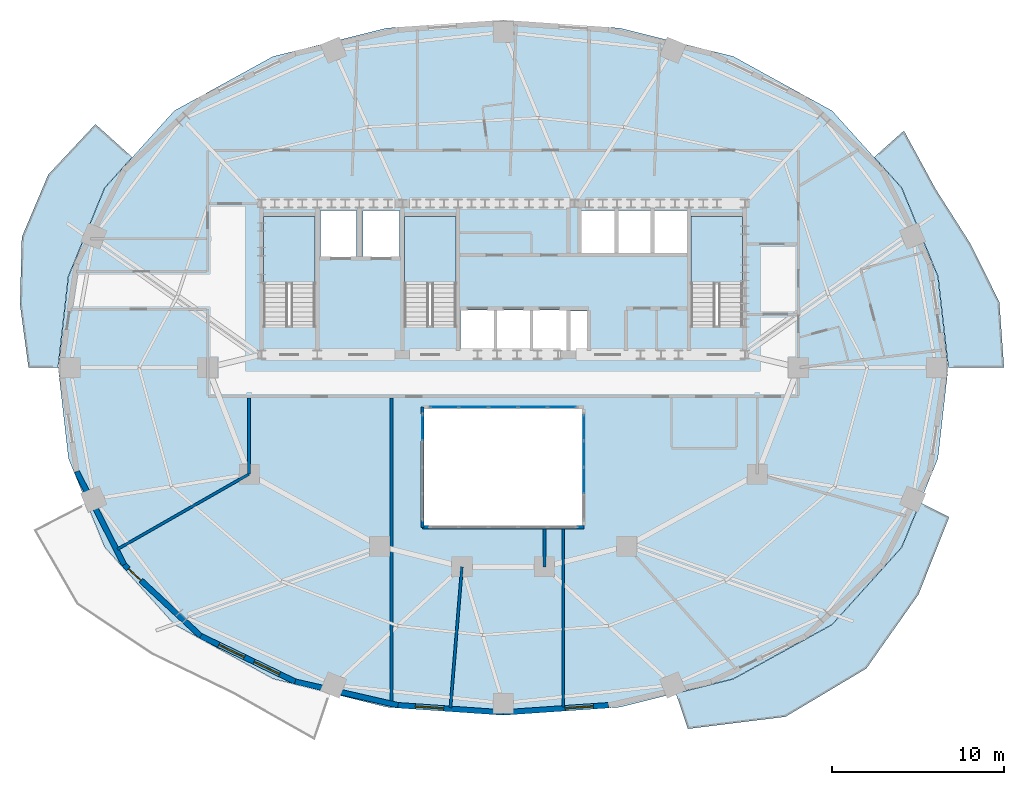
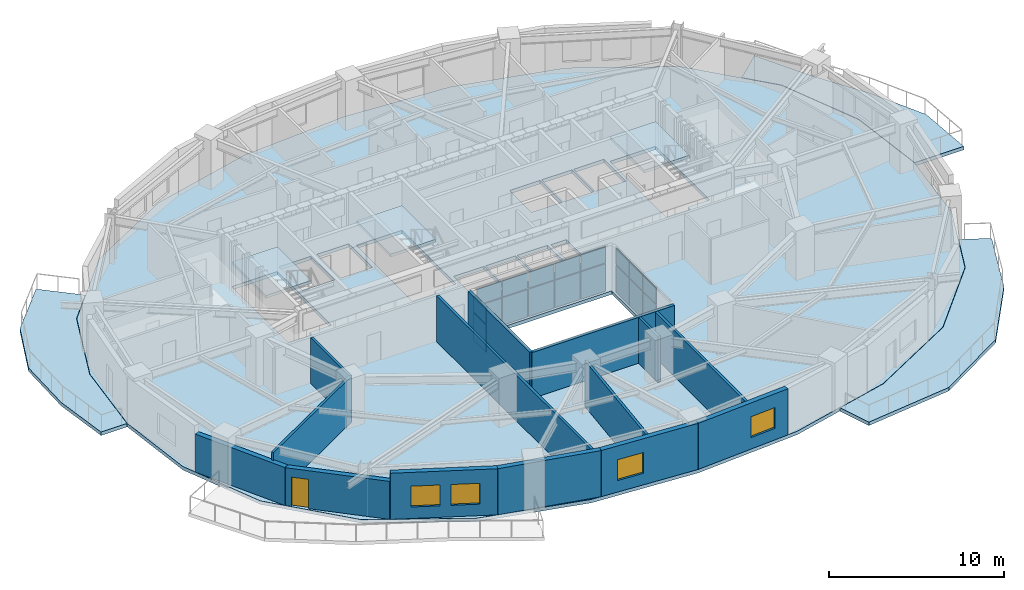
# One storey, part 5 of 13: 18 plates, 14 walls, 7 slabs, 4 windows, 1 door, 5 openings, 6 elements without a shape of their own.
"""IFC4 building model written with IfcOpenShell, lengths in metres."""

import ifcopenshell
import ifcopenshell.guid

model = None  # the IFC model being written
_history = None  # IfcOwnerHistory: only IFC2X3 demands one
_inside = {}  # id of a spatial element -> (the spatial element, [elements in it])
_under = {}  # id of a project, library or spatial element -> (it, [spatial elements below it])
_declared = {}  # id of a project -> (the project, [libraries it declares])
_typed = {}  # id of a type object -> (the type object, [elements of that type])
_made_of = {}  # id of a material, layer set ... -> (it, [elements and type objects made of it])


def new_model(schema):
    """Start an empty IFC model of exactly this schema.

    Asked for "IFC4X3", IfcOpenShell would pick the latest addendum, in which some entities
    have other attributes; the version numbers below select the first issue.
    IFC2X3 requires an IfcOwnerHistory on every rooted entity: one is made here for all.
    """
    global model, _history
    if schema == "IFC4X3":
        model = ifcopenshell.file(schema_version=(4, 3, 0, 0))
    else:
        model = ifcopenshell.file(schema=schema)
    _inside.clear()
    _under.clear()
    _declared.clear()
    _typed.clear()
    _made_of.clear()
    _history = None
    if model.schema == "IFC2X3":
        org = make("IfcOrganization", Name="unknown")
        user = make(
            "IfcPersonAndOrganization",
            ThePerson=make("IfcPerson", FamilyName="unknown"),
            TheOrganization=org,
        )
        app = make(
            "IfcApplication",
            ApplicationDeveloper=org,
            Version="unknown",
            ApplicationFullName="unknown",
            ApplicationIdentifier="unknown",
        )
        _history = make(
            "IfcOwnerHistory",
            OwningUser=user,
            OwningApplication=app,
            ChangeAction="ADDED",
            CreationDate=0,
        )
    return model


def make(cls, **values):
    """One entity of the class cls with the attributes given. An attribute that is None is left unset."""
    return model.create_entity(
        cls, **{name: value for name, value in values.items() if value is not None}
    )


def rooted(cls, **values):
    """An entity with a GlobalId (a new one), such as an element, a storey or a relation."""
    return make(cls, GlobalId=ifcopenshell.guid.new(), OwnerHistory=_history, **values)


def si_unit(unit_type, name, prefix=None):
    """IfcSIUnit, for example si_unit("LENGTHUNIT", "METRE", prefix="MILLI")."""
    return make("IfcSIUnit", UnitType=unit_type, Prefix=prefix, Name=name)


def assignment(units):
    """IfcUnitAssignment: the units of a project."""
    return None if units is None else make("IfcUnitAssignment", Units=units)


def point(xyz):
    """IfcCartesianPoint."""
    return None if xyz is None else make("IfcCartesianPoint", Coordinates=xyz)


def direction(xyz):
    """IfcDirection."""
    return None if xyz is None else make("IfcDirection", DirectionRatios=xyz)


def frame(location, z_axis=None, x_axis=None):
    """IfcAxis2Placement3D, a coordinate frame: its origin and axes. An axis left out is left unset."""
    return make(
        "IfcAxis2Placement3D",
        Location=point(location),
        Axis=direction(z_axis),
        RefDirection=direction(x_axis),
    )


def frame_2d(location, x_axis=None):
    """IfcAxis2Placement2D, a coordinate frame in the plane: its origin and x axis."""
    return make(
        "IfcAxis2Placement2D", Location=point(location), RefDirection=direction(x_axis)
    )


def origin():
    """The frame at (0, 0, 0) with its axes left unset."""
    return frame((0.0, 0.0, 0.0))


def origin_2d():
    """The frame at (0, 0) in the plane with its x axis left unset."""
    return frame_2d((0.0, 0.0))


def place(relative_to, where):
    """IfcLocalPlacement: puts the frame where relative to a parent placement (None: the world)."""
    return make(
        "IfcLocalPlacement", PlacementRelTo=relative_to, RelativePlacement=where
    )


def context(
    kind, dimensions, precision=None, world=None, true_north=None, identifier=None
):
    """IfcGeometricRepresentationContext, for example the 3D "Model" context."""
    return make(
        "IfcGeometricRepresentationContext",
        ContextIdentifier=identifier,
        ContextType=kind,
        CoordinateSpaceDimension=dimensions,
        Precision=precision,
        WorldCoordinateSystem=world,
        TrueNorth=true_north,
    )


def subcontext(parent, identifier, kind, view, scale=None):
    """IfcGeometricRepresentationSubContext, for example "Body" below "Model"."""
    return make(
        "IfcGeometricRepresentationSubContext",
        ContextIdentifier=identifier,
        ContextType=kind,
        ParentContext=parent,
        TargetScale=scale,
        TargetView=view,
    )


def project(units=None, contexts=None):
    """IfcProject with its units and contexts."""
    return rooted(
        "IfcProject",
        Name="project",
        RepresentationContexts=contexts,
        UnitsInContext=assignment(units),
    )


def spatial(cls, under=None, at=None, **own):
    """A site, building, storey or space (cls), placed at a placement, below another one or the project."""
    s = rooted(cls, ObjectPlacement=at, **own)
    if under is not None:
        _under.setdefault(under.id(), (under, []))[1].append(s)
    return s


def polyline(points):
    """IfcPolyline through the points."""
    return make("IfcPolyline", Points=[point(p) for p in points])


def profile(cls, at=None, kind="AREA", **sizes):
    """A parametric profile (cls). Its sizes go by their IFC names, for example OverallWidth=200.0."""
    return make(cls, ProfileType=kind, Position=at, **sizes)


def rectangle(**sizes):
    """IfcRectangleProfileDef."""
    return profile("IfcRectangleProfileDef", **sizes)


def outline(outer, holes=None, kind="AREA"):
    """IfcArbitraryClosedProfileDef: a profile drawn as a closed curve; with holes, ...WithVoids."""
    if holes is None:
        return make("IfcArbitraryClosedProfileDef", ProfileType=kind, OuterCurve=outer)
    return make(
        "IfcArbitraryProfileDefWithVoids",
        ProfileType=kind,
        OuterCurve=outer,
        InnerCurves=holes,
    )


def extrude(swept, where, along, depth):
    """IfcExtrudedAreaSolid: the profile swept, set in the frame where, extruded along a direction by depth."""
    return make(
        "IfcExtrudedAreaSolid",
        SweptArea=swept,
        Position=where,
        ExtrudedDirection=direction(along),
        Depth=depth,
    )


def shape(context_of_items, identifier, shape_type, items):
    """IfcShapeRepresentation: the items that make up one representation, for example the "Body"."""
    return make(
        "IfcShapeRepresentation",
        ContextOfItems=context_of_items,
        RepresentationIdentifier=identifier,
        RepresentationType=shape_type,
        Items=items,
    )


def material(Name=None, Category=None):
    """IfcMaterial."""
    return make("IfcMaterial", Name=Name, Category=Category)


def layer(
    of_material, thickness, ventilated=None, Name=None, Category=None, Priority=None
):
    """IfcMaterialLayer: one layer of a wall or slab, of a material (None: an air gap)."""
    return make(
        "IfcMaterialLayer",
        Material=of_material,
        LayerThickness=thickness,
        IsVentilated=ventilated,
        Name=Name,
        Category=Category,
        Priority=Priority,
    )


def layer_set(layers, Name=None):
    """IfcMaterialLayerSet."""
    return make("IfcMaterialLayerSet", MaterialLayers=layers, LayerSetName=Name)


def made_of(thing, what):
    """Note that an element or type object is made of a material, layer set ...; save() writes the relation."""
    if what is not None:
        _made_of.setdefault(what.id(), (what, []))[1].append(thing)
    return thing


def type_object(cls, material=None, **own):
    """A type object (cls), such as IfcWallType, which elements share."""
    return made_of(rooted(cls, **own), material)


def element(
    cls,
    number,
    at=None,
    inside=None,
    cuts=None,
    type_object=None,
    material=None,
    context=None,
    identifier="Body",
    shape_type=None,
    held_by="IfcProductDefinitionShape",
    body=None,
    shapes=None,
    **own,
):
    """One element of the class cls, such as IfcWall. Its Tag is "e" and its number.

    at: its placement. inside: the storey or other place that contains it. cuts: it is an
    opening in that element (IfcRelVoidsElement). A single representation is given by context,
    identifier, shape_type and body (its items); several are given by shapes. held_by: the class
    of the entity that holds the representations. save() writes the other relations.
    """
    e = rooted(cls, Tag="e%d" % number, ObjectPlacement=at, **own)
    if body is not None:
        shapes = [shape(context, identifier, shape_type, body)]
    if shapes is not None:
        e.Representation = make(held_by, Representations=shapes)
    if inside is not None:
        _inside.setdefault(inside.id(), (inside, []))[1].append(e)
    if cuts is not None:
        rooted(
            "IfcRelVoidsElement", RelatingBuildingElement=cuts, RelatedOpeningElement=e
        )
    if type_object is not None:
        _typed.setdefault(type_object.id(), (type_object, []))[1].append(e)
    return made_of(e, material)


def fill(opening, filler):
    """IfcRelFillsElement: the door or window that sits in an opening."""
    return rooted(
        "IfcRelFillsElement",
        RelatingOpeningElement=opening,
        RelatedBuildingElement=filler,
    )


def aggregate(whole, parts):
    """IfcRelAggregates: a whole, such as a stair, and the parts it consists of."""
    return rooted("IfcRelAggregates", RelatingObject=whole, RelatedObjects=parts)


def save(model, path):
    """Write the relations noted so far, then the file.

    IfcRelAggregates (storeys below a building ...), IfcRelContainedInSpatialStructure (elements
    in a storey), IfcRelDefinesByType, IfcRelAssociatesMaterial and IfcRelDeclares: one each for
    every whole, place, type object, material and project.
    """
    for whole, parts in _under.values():
        aggregate(whole, parts)
    for where, things in _inside.values():
        rooted(
            "IfcRelContainedInSpatialStructure",
            RelatedElements=things,
            RelatingStructure=where,
        )
    for kind, things in _typed.values():
        rooted("IfcRelDefinesByType", RelatedObjects=things, RelatingType=kind)
    for what, things in _made_of.values():
        rooted("IfcRelAssociatesMaterial", RelatedObjects=things, RelatingMaterial=what)
    for by, libraries in _declared.values():
        rooted("IfcRelDeclares", RelatingContext=by, RelatedDefinitions=libraries)
    model.write(path)


model = new_model("IFC4")

# Units and contexts
model_context = context("Model", 3, precision=1e-05, world=origin(), true_north=direction((0.0, 1.0)))
body_context = subcontext(model_context, "Body", "Model", "MODEL_VIEW")
ifc_project = project(units=[si_unit("LENGTHUNIT", "METRE"), si_unit("AREAUNIT", "SQUARE_METRE"), si_unit("VOLUMEUNIT", "CUBIC_METRE"), si_unit("PLANEANGLEUNIT", "RADIAN"), si_unit("MASSUNIT", "GRAM", prefix="KILO")], contexts=[model_context])

# Site, building, storey
site_placement = place(None, origin())
site = spatial("IfcSite", under=ifc_project, at=site_placement, CompositionType="ELEMENT")
building_placement = place(site_placement, origin())
building = spatial("IfcBuilding", under=site, at=building_placement, Name="Haldorwick Loom Tower", CompositionType="ELEMENT")
storey_placement = place(building_placement, frame((0.0, 0.0, 135.64990234375)))
storey = spatial("IfcBuildingStorey", under=building, at=storey_placement, Name="L36", CompositionType="ELEMENT", Elevation=135.64990234375)

# Curtain wall, plates
ifc_material_1 = material(Name="Thermally Broken Anodized Aluminium Curtain Wall Framing", Category="aluminium")
curtain_wall_type = type_object("IfcCurtainWallType", Name="ARC-CW-03", PredefinedType="NOTDEFINED", material=ifc_material_1)
curtain_wall_1_placement = place(storey_placement, origin())
curtain_wall_1 = element("IfcCurtainWall", 1, at=curtain_wall_1_placement, inside=storey, type_object=curtain_wall_type, Name="L36 Atrium Glazed Screen N", PredefinedType="NOTDEFINED")
ifc_material_2 = material(Name="Triple-Glazed Low-E Argon Insulated Glazing Unit", Category="glass")
ifc_layer_1 = layer(ifc_material_2, 0.04296875, Name="Triple-Glazed Low-E Argon Insulated Glazing Unit", Category="glass")
ifc_layer_set_1 = layer_set([ifc_layer_1], Name="Triple-Glazed Low-E Argon Insulated Glazing Unit")
plate_type = type_object("IfcPlateType", Name="ARC-CWP-03", PredefinedType="CURTAIN_PANEL", material=ifc_layer_set_1)
plate_1_placement = place(storey_placement, frame((32.576416015625, 23.699951171875, 0.066162109375), z_axis=(0.0, 0.0, 1.0), x_axis=(1.0, 0.0, 0.0)))
plate_1 = element("IfcPlate", 2, at=plate_1_placement, type_object=plate_type, Name="CW-03 panel 1.1", PredefinedType="CURTAIN_PANEL", context=body_context, shape_type="SweptSolid", body=[
    extrude(rectangle(XDim=1.62109375, YDim=0.04296875, at=origin_2d()), origin(), (0.0, 0.0, 1.0), 1.90087890625),
])
plate_2_placement = place(storey_placement, frame((32.576416015625, 23.699951171875, 2.033203125), z_axis=(0.0, 0.0, 1.0), x_axis=(1.0, 0.0, 0.0)))
plate_2 = element("IfcPlate", 3, at=plate_2_placement, type_object=plate_type, Name="CW-03 panel 1.2", PredefinedType="CURTAIN_PANEL", context=body_context, shape_type="SweptSolid", body=[
    extrude(rectangle(XDim=1.62109375, YDim=0.04296875, at=origin_2d()), origin(), (0.0, 0.0, 1.0), 1.111083984375),
])
plate_3_placement = place(storey_placement, frame((34.280029296875, 23.699951171875, 0.066162109375), z_axis=(0.0, 0.0, 1.0), x_axis=(1.0, 0.0, 0.0)))
plate_3 = element("IfcPlate", 4, at=plate_3_placement, type_object=plate_type, Name="CW-03 panel 2.1", PredefinedType="CURTAIN_PANEL", context=body_context, shape_type="SweptSolid", body=[
    extrude(rectangle(XDim=1.654052734375, YDim=0.04296875, at=origin_2d()), origin(), (0.0, 0.0, 1.0), 1.90087890625),
])
plate_4_placement = place(storey_placement, frame((34.280029296875, 23.699951171875, 2.033203125), z_axis=(0.0, 0.0, 1.0), x_axis=(1.0, 0.0, 0.0)))
plate_4 = element("IfcPlate", 5, at=plate_4_placement, type_object=plate_type, Name="CW-03 panel 2.2", PredefinedType="CURTAIN_PANEL", context=body_context, shape_type="SweptSolid", body=[
    extrude(rectangle(XDim=1.654052734375, YDim=0.04296875, at=origin_2d()), origin(), (0.0, 0.0, 1.0), 1.111083984375),
])
plate_5_placement = place(storey_placement, frame((36.0, 23.699951171875, 0.066162109375), z_axis=(0.0, 0.0, 1.0), x_axis=(1.0, 0.0, 0.0)))
plate_5 = element("IfcPlate", 6, at=plate_5_placement, type_object=plate_type, Name="CW-03 panel 3.1", PredefinedType="CURTAIN_PANEL", context=body_context, shape_type="SweptSolid", body=[
    extrude(rectangle(XDim=1.654052734375, YDim=0.04296875, at=origin_2d()), origin(), (0.0, 0.0, 1.0), 1.90087890625),
])
plate_6_placement = place(storey_placement, frame((36.0, 23.699951171875, 2.033203125), z_axis=(0.0, 0.0, 1.0), x_axis=(1.0, 0.0, 0.0)))
plate_6 = element("IfcPlate", 7, at=plate_6_placement, type_object=plate_type, Name="CW-03 panel 3.2", PredefinedType="CURTAIN_PANEL", context=body_context, shape_type="SweptSolid", body=[
    extrude(rectangle(XDim=1.654052734375, YDim=0.04296875, at=origin_2d()), origin(), (0.0, 0.0, 1.0), 1.111083984375),
])
plate_7_placement = place(storey_placement, frame((37.719970703125, 23.699951171875, 0.066162109375), z_axis=(0.0, 0.0, 1.0), x_axis=(1.0, 0.0, 0.0)))
plate_7 = element("IfcPlate", 8, at=plate_7_placement, type_object=plate_type, Name="CW-03 panel 4.1", PredefinedType="CURTAIN_PANEL", context=body_context, shape_type="SweptSolid", body=[
    extrude(rectangle(XDim=1.654052734375, YDim=0.04296875, at=origin_2d()), origin(), (0.0, 0.0, 1.0), 1.90087890625),
])
plate_8_placement = place(storey_placement, frame((37.719970703125, 23.699951171875, 2.033203125), z_axis=(0.0, 0.0, 1.0), x_axis=(1.0, 0.0, 0.0)))
plate_8 = element("IfcPlate", 9, at=plate_8_placement, type_object=plate_type, Name="CW-03 panel 4.2", PredefinedType="CURTAIN_PANEL", context=body_context, shape_type="SweptSolid", body=[
    extrude(rectangle(XDim=1.654052734375, YDim=0.04296875, at=origin_2d()), origin(), (0.0, 0.0, 1.0), 1.111083984375),
])
plate_9_placement = place(storey_placement, frame((39.423583984375, 23.699951171875, 0.066162109375), z_axis=(0.0, 0.0, 1.0), x_axis=(1.0, 0.0, 0.0)))
plate_9 = element("IfcPlate", 10, at=plate_9_placement, type_object=plate_type, Name="CW-03 panel 5.1", PredefinedType="CURTAIN_PANEL", context=body_context, shape_type="SweptSolid", body=[
    extrude(rectangle(XDim=1.62109375, YDim=0.04296875, at=origin_2d()), origin(), (0.0, 0.0, 1.0), 1.90087890625),
])
plate_10_placement = place(storey_placement, frame((39.423583984375, 23.699951171875, 2.033203125), z_axis=(0.0, 0.0, 1.0), x_axis=(1.0, 0.0, 0.0)))
plate_10 = element("IfcPlate", 11, at=plate_10_placement, type_object=plate_type, Name="CW-03 panel 5.2", PredefinedType="CURTAIN_PANEL", context=body_context, shape_type="SweptSolid", body=[
    extrude(rectangle(XDim=1.62109375, YDim=0.04296875, at=origin_2d()), origin(), (0.0, 0.0, 1.0), 1.111083984375),
])
aggregate(curtain_wall_1, [plate_1, plate_2, plate_3, plate_4, plate_5, plate_6, plate_7, plate_8, plate_9, plate_10])

curtain_wall_2_placement = place(storey_placement, origin())
curtain_wall_2 = element("IfcCurtainWall", 12, at=curtain_wall_2_placement, inside=storey, type_object=curtain_wall_type, Name="L36 Atrium Glazed Screen W", PredefinedType="NOTDEFINED")
plate_11_placement = place(storey_placement, frame((31.300048828125, 22.508544921875, 0.066162109375), z_axis=(0.0, 0.0, 1.0), x_axis=(0.0, 1.0, 0.0)))
plate_11 = element("IfcPlate", 13, at=plate_11_placement, type_object=plate_type, Name="CW-03 panel 4.1", PredefinedType="CURTAIN_PANEL", context=body_context, shape_type="SweptSolid", body=[
    extrude(rectangle(XDim=1.450927734375, YDim=0.04296875, at=origin_2d()), origin(), (0.0, 0.0, 1.0), 1.90087890625),
])
plate_12_placement = place(storey_placement, frame((31.300048828125, 22.508544921875, 2.033203125), z_axis=(0.0, 0.0, 1.0), x_axis=(0.0, 1.0, 0.0)))
plate_12 = element("IfcPlate", 14, at=plate_12_placement, type_object=plate_type, Name="CW-03 panel 4.2", PredefinedType="CURTAIN_PANEL", context=body_context, shape_type="SweptSolid", body=[
    extrude(rectangle(XDim=1.450927734375, YDim=0.04296875, at=origin_2d()), origin(), (0.0, 0.0, 1.0), 1.111083984375),
])
aggregate(curtain_wall_2, [plate_11, plate_12])

curtain_wall_3_placement = place(storey_placement, origin())
curtain_wall_3 = element("IfcCurtainWall", 15, at=curtain_wall_3_placement, inside=storey, type_object=curtain_wall_type, Name="L36 Atrium Glazed Screen E", PredefinedType="NOTDEFINED")
plate_13_placement = place(storey_placement, frame((40.699951171875, 22.508544921875, 0.066162109375), z_axis=(0.0, 0.0, 1.0), x_axis=(0.0, -1.0, 0.0)))
plate_13 = element("IfcPlate", 16, at=plate_13_placement, type_object=plate_type, Name="CW-03 panel 1.1", PredefinedType="CURTAIN_PANEL", context=body_context, shape_type="SweptSolid", body=[
    extrude(rectangle(XDim=1.450927734375, YDim=0.04296875, at=origin_2d()), origin(), (0.0, 0.0, 1.0), 1.90087890625),
])
plate_14_placement = place(storey_placement, frame((40.699951171875, 22.508544921875, 2.033203125), z_axis=(0.0, 0.0, 1.0), x_axis=(0.0, -1.0, 0.0)))
plate_14 = element("IfcPlate", 17, at=plate_14_placement, type_object=plate_type, Name="CW-03 panel 1.2", PredefinedType="CURTAIN_PANEL", context=body_context, shape_type="SweptSolid", body=[
    extrude(rectangle(XDim=1.450927734375, YDim=0.04296875, at=origin_2d()), origin(), (0.0, 0.0, 1.0), 1.111083984375),
])
plate_15_placement = place(storey_placement, frame((40.699951171875, 20.97509765625, 0.066162109375), z_axis=(0.0, 0.0, 1.0), x_axis=(0.0, -1.0, 0.0)))
plate_15 = element("IfcPlate", 18, at=plate_15_placement, type_object=plate_type, Name="CW-03 panel 2.1", PredefinedType="CURTAIN_PANEL", context=body_context, shape_type="SweptSolid", body=[
    extrude(rectangle(XDim=1.48388671875, YDim=0.04296875, at=origin_2d()), origin(), (0.0, 0.0, 1.0), 1.90087890625),
])
plate_16_placement = place(storey_placement, frame((40.699951171875, 20.97509765625, 2.033203125), z_axis=(0.0, 0.0, 1.0), x_axis=(0.0, -1.0, 0.0)))
plate_16 = element("IfcPlate", 19, at=plate_16_placement, type_object=plate_type, Name="CW-03 panel 2.2", PredefinedType="CURTAIN_PANEL", context=body_context, shape_type="SweptSolid", body=[
    extrude(rectangle(XDim=1.48388671875, YDim=0.04296875, at=origin_2d()), origin(), (0.0, 0.0, 1.0), 1.111083984375),
])
plate_17_placement = place(storey_placement, frame((40.699951171875, 19.425048828125, 0.066162109375), z_axis=(0.0, 0.0, 1.0), x_axis=(0.0, -1.0, 0.0)))
plate_17 = element("IfcPlate", 20, at=plate_17_placement, type_object=plate_type, Name="CW-03 panel 3.1", PredefinedType="CURTAIN_PANEL", context=body_context, shape_type="SweptSolid", body=[
    extrude(rectangle(XDim=1.48388671875, YDim=0.04296875, at=origin_2d()), origin(), (0.0, 0.0, 1.0), 1.90087890625),
])
plate_18_placement = place(storey_placement, frame((40.699951171875, 19.425048828125, 2.033203125), z_axis=(0.0, 0.0, 1.0), x_axis=(0.0, -1.0, 0.0)))
plate_18 = element("IfcPlate", 21, at=plate_18_placement, type_object=plate_type, Name="CW-03 panel 3.2", PredefinedType="CURTAIN_PANEL", context=body_context, shape_type="SweptSolid", body=[
    extrude(rectangle(XDim=1.48388671875, YDim=0.04296875, at=origin_2d()), origin(), (0.0, 0.0, 1.0), 1.111083984375),
])
aggregate(curtain_wall_3, [plate_13, plate_14, plate_15, plate_16, plate_17, plate_18])

# Slabs
ifc_material_3 = material(Name="Concrete C40 (40 MPa)", Category="concrete")
ifc_layer_2 = layer(ifc_material_3, 0.239990234375, Name="Concrete C40 (40 MPa)", Category="concrete")
ifc_layer_set_2 = layer_set([ifc_layer_2], Name="Concrete C40 (40 MPa)")
slab_type_1 = type_object("IfcSlabType", Name="STR-SLB-BAL240", PredefinedType="FLOOR", material=ifc_layer_set_2)
slab_1_placement = place(storey_placement, frame((0.0, 0.0, -0.239990234375)))
element("IfcSlab", 22, at=slab_1_placement, inside=storey, type_object=slab_type_1, Name="L36 Sinusoidal Balcony Terrace BAL_SE", PredefinedType="FLOOR", context=body_context, shape_type="SweptSolid", body=[
    extrude(outline(polyline([(60.284912109375, 18.142822265625), (59.216064453125, 15.530517578125), (59.21533203125, 15.529296875), (59.21484375, 15.528076171875), (59.214111328125, 15.527099609375), (59.213134765625, 15.526123046875), (55.16162109375, 11.031005859375), (55.16064453125, 11.02978515625), (55.1591796875, 11.028564453125), (55.15771484375, 11.02783203125), (49.40283203125, 7.863037109375), (49.40185546875, 7.8623046875), (49.400634765625, 7.86181640625), (49.3994140625, 7.861572265625), (46.060302734375, 7.02783203125), (46.7607421875, 4.96044921875), (52.440673828125, 5.66796875), (57.151123046875, 8.4794921875), (60.17919921875, 12.77880859375), (61.969482421875, 17.2900390625), (60.284912109375, 18.142822265625)])), origin(), (0.0, 0.0, 1.0), 0.239990234375),
])
slab_2_placement = place(storey_placement, frame((0.0, 0.0, -0.239990234375)))
element("IfcSlab", 23, at=slab_2_placement, inside=storey, type_object=slab_type_1, Name="L36 Sinusoidal Balcony Terrace BAL_WNW", PredefinedType="FLOOR", context=body_context, shape_type="SweptSolid", body=[
    extrude(outline(polyline([(10.068115234375, 26.0), (10.068115234375, 26.001708984375), (10.669677734375, 31.30029296875), (10.669921875, 31.3017578125), (10.670166015625, 31.302978515625), (10.670654296875, 31.30419921875), (12.783935546875, 36.469482421875), (12.78466796875, 36.470703125), (12.78515625, 36.4716796875), (12.785888671875, 36.472900390625), (12.786865234375, 36.473876953125), (14.39013671875, 38.2529296875), (12.253662109375, 40.1748046875), (9.505615234375, 37.237060546875), (7.967529296875, 33.601318359375), (7.860107421875, 29.673583984375), (8.3564453125, 26.0), (10.068115234375, 26.0)])), origin(), (0.0, 0.0, 1.0), 0.239990234375),
])
slab_3_placement = place(storey_placement, frame((0.0, 0.0, -0.239990234375)))
element("IfcSlab", 24, at=slab_3_placement, inside=storey, type_object=slab_type_1, Name="L36 Sinusoidal Balcony Terrace BAL_ENE", PredefinedType="FLOOR", context=body_context, shape_type="SweptSolid", body=[
    extrude(outline(polyline([(57.610107421875, 38.25244140625), (59.213134765625, 36.473876953125), (59.214111328125, 36.472900390625), (59.21484375, 36.4716796875), (59.21533203125, 36.470703125), (59.216064453125, 36.469482421875), (61.329345703125, 31.30419921875), (61.329833984375, 31.302978515625), (61.330078125, 31.3017578125), (61.330322265625, 31.30029296875), (61.931884765625, 26.001708984375), (61.931884765625, 26.0), (65.1669921875, 26.0), (64.89306640625, 29.826416015625), (63.18896484375, 33.25048828125), (61.189208984375, 36.3857421875), (59.33740234375, 39.794677734375), (57.610107421875, 38.25244140625)])), origin(), (0.0, 0.0, 1.0), 0.239990234375),
])

# Stair, slab
stair_type = type_object("IfcStairType", Name="STR-STR-CORE", PredefinedType="HALF_TURN_STAIR", material=ifc_material_3)
stair_1_placement = place(storey_placement, origin())
stair_1 = element("IfcStair", 25, at=stair_1_placement, inside=storey, type_object=stair_type, Name="L36 Exit Stair ST-01", PredefinedType="HALF_TURN_STAIR")
ifc_layer_3 = layer(ifc_material_3, 0.199951171875, Name="Concrete C40 (40 MPa)", Category="concrete")
ifc_layer_set_3 = layer_set([ifc_layer_3], Name="Concrete C40 (40 MPa)")
slab_type_2 = type_object("IfcSlabType", Name="STR-SLB-LAND200", PredefinedType="LANDING", material=ifc_layer_set_3)
slab_4_placement = place(storey_placement, frame((0.0, 0.0, 1.525146484375)))
slab_4 = element("IfcSlab", 26, at=slab_4_placement, type_object=slab_type_2, Name="ST-01 landing 1", PredefinedType="LANDING", context=body_context, shape_type="SweptSolid", body=[
    extrude(outline(polyline([(25.050048828125, 30.919921875), (25.050048828125, 34.800048828125), (22.050048828125, 34.800048828125), (22.050048828125, 30.919921875), (25.050048828125, 30.919921875)])), origin(), (0.0, 0.0, 1.0), 0.199951171875),
])
aggregate(stair_1, [slab_4])

stair_2_placement = place(storey_placement, origin())
stair_2 = element("IfcStair", 27, at=stair_2_placement, inside=storey, type_object=stair_type, Name="L36 Exit Stair ST-02", PredefinedType="HALF_TURN_STAIR")
slab_5_placement = place(storey_placement, frame((0.0, 0.0, 1.525146484375)))
slab_5 = element("IfcSlab", 28, at=slab_5_placement, type_object=slab_type_2, Name="ST-02 landing 1", PredefinedType="LANDING", context=body_context, shape_type="SweptSolid", body=[
    extrude(outline(polyline([(49.949951171875, 30.919921875), (49.949951171875, 34.800048828125), (46.949951171875, 34.800048828125), (46.949951171875, 30.919921875), (49.949951171875, 30.919921875)])), origin(), (0.0, 0.0, 1.0), 0.199951171875),
])
aggregate(stair_2, [slab_5])

stair_3_placement = place(storey_placement, origin())
stair_3 = element("IfcStair", 29, at=stair_3_placement, inside=storey, type_object=stair_type, Name="L36 Exit Stair ST-03", PredefinedType="HALF_TURN_STAIR")
slab_6_placement = place(storey_placement, frame((0.0, 0.0, 1.525146484375)))
slab_6 = element("IfcSlab", 30, at=slab_6_placement, type_object=slab_type_2, Name="ST-03 landing 1", PredefinedType="LANDING", context=body_context, shape_type="SweptSolid", body=[
    extrude(outline(polyline([(33.25, 30.919921875), (33.25, 34.800048828125), (30.25, 34.800048828125), (30.25, 30.919921875), (33.25, 30.919921875)])), origin(), (0.0, 0.0, 1.0), 0.199951171875),
])
aggregate(stair_3, [slab_6])

# Slab
ifc_layer_4 = layer(ifc_material_3, 0.239990234375, Name="Concrete C40 (40 MPa)", Category="concrete")
ifc_layer_set_4 = layer_set([ifc_layer_4], Name="Concrete C40 (40 MPa)")
slab_type_3 = type_object("IfcSlabType", Name="STR-SLB-RES240", PredefinedType="FLOOR", material=ifc_layer_set_4)
slab_7_placement = place(storey_placement, frame((0.0, 0.0, -0.239990234375)))
element("IfcSlab", 31, at=slab_7_placement, inside=storey, type_object=slab_type_3, Name="L36 Residential Structural Floor Slab", PredefinedType="FLOOR", context=body_context, shape_type="SweptSolid", body=[
    extrude(outline(polyline([(55.150634765625, 11.041015625), (59.2021484375, 15.5361328125), (61.3154296875, 20.701416015625), (61.9169921875, 26.0), (61.3154296875, 31.298583984375), (59.2021484375, 36.4638671875), (55.150634765625, 40.958984375), (49.395751953125, 44.123779296875), (42.783203125, 45.774658203125), (36.0, 46.24462890625), (29.216796875, 45.774658203125), (22.604248046875, 44.123779296875), (16.849365234375, 40.958984375), (12.7978515625, 36.4638671875), (10.6845703125, 31.298583984375), (10.0830078125, 26.0), (10.6845703125, 20.701416015625), (12.7978515625, 15.5361328125), (16.849365234375, 11.041015625), (22.604248046875, 7.876220703125), (29.216796875, 6.225341796875), (36.0, 5.75537109375), (42.783203125, 6.225341796875), (49.395751953125, 7.876220703125), (55.150634765625, 11.041015625)]), holes=[polyline([(31.39990234375, 16.800048828125), (31.39990234375, 23.60009765625), (40.60009765625, 23.60009765625), (40.60009765625, 16.800048828125), (31.39990234375, 16.800048828125)]), polyline([(33.5, 26.85009765625), (33.5, 29.35009765625), (35.5, 29.35009765625), (35.5, 26.85009765625), (33.5, 26.85009765625)]), polyline([(35.60009765625, 26.85009765625), (35.60009765625, 29.35009765625), (37.60009765625, 29.35009765625), (37.60009765625, 26.85009765625), (35.60009765625, 26.85009765625)]), polyline([(23.6201171875, 28.39990234375), (22.050048828125, 28.39990234375), (22.050048828125, 34.800048828125), (25.050048828125, 34.800048828125), (25.050048828125, 28.639892578125), (23.6201171875, 28.639892578125), (23.6201171875, 28.39990234375)]), polyline([(30.25, 28.39990234375), (30.25, 34.800048828125), (33.25, 34.800048828125), (33.25, 28.639892578125), (31.820068359375, 28.639892578125), (31.820068359375, 28.39990234375), (30.25, 28.39990234375)]), polyline([(25.35009765625, 32.449951171875), (25.35009765625, 35.14990234375), (27.449951171875, 35.14990234375), (27.449951171875, 32.449951171875), (25.35009765625, 32.449951171875)]), polyline([(29.949951171875, 32.449951171875), (27.85009765625, 32.449951171875), (27.85009765625, 35.14990234375), (29.949951171875, 35.14990234375), (29.949951171875, 32.449951171875)]), polyline([(37.699951171875, 26.85009765625), (37.699951171875, 29.35009765625), (39.699951171875, 29.35009765625), (39.699951171875, 26.85009765625), (37.699951171875, 26.85009765625)]), polyline([(39.89990234375, 26.89990234375), (39.89990234375, 29.300048828125), (40.89990234375, 29.300048828125), (40.89990234375, 26.89990234375), (39.89990234375, 26.89990234375)]), polyline([(46.949951171875, 28.39990234375), (46.949951171875, 34.800048828125), (49.949951171875, 34.800048828125), (49.949951171875, 28.639892578125), (48.52001953125, 28.639892578125), (48.52001953125, 28.39990234375), (46.949951171875, 28.39990234375)]), polyline([(40.550048828125, 32.64990234375), (40.550048828125, 35.14990234375), (42.550048828125, 35.14990234375), (42.550048828125, 32.64990234375), (40.550048828125, 32.64990234375)]), polyline([(42.64990234375, 32.64990234375), (42.64990234375, 35.14990234375), (44.64990234375, 35.14990234375), (44.64990234375, 32.64990234375), (42.64990234375, 32.64990234375)]), polyline([(44.75, 32.64990234375), (44.75, 35.14990234375), (46.75, 35.14990234375), (46.75, 32.64990234375), (44.75, 32.64990234375)])]), origin(), (0.0, 0.0, 1.0), 0.239990234375),
])

# Wall
ifc_material_4 = material(Name="Pressed Clay Face Brick and Insulated Masonry Backup Assembly", Category="masonry")
ifc_layer_5 = layer(ifc_material_4, 0.320068359375, Name="Pressed Clay Face Brick and Insulated Masonry Backup Assembly", Category="masonry")
ifc_layer_set_5 = layer_set([ifc_layer_5], Name="Pressed Clay Face Brick and Insulated Masonry Backup Assembly")
wall_type_1 = type_object("IfcWallType", Name="ARC-WL-EXT320", PredefinedType="STANDARD", material=ifc_layer_set_5)
wall_1_placement = place(storey_placement, frame((11.1650390625, 19.944580078125, 0.0), z_axis=(0.0, 0.0, 1.0), x_axis=(0.453172129629, -0.89142303141, 0.0)))
element("IfcWall", 32, at=wall_1_placement, inside=storey, type_object=wall_type_1, Name="L36 Brick Pier and Spandrel Wall 14", PredefinedType="STANDARD", context=body_context, shape_type="SweptSolid", body=[
    extrude(rectangle(XDim=6.086669921875, YDim=0.320068359375, at=frame_2d((3.04345703125, 0.0))), origin(), (0.0, 0.0, 1.0), 2.64111328125),
])

# Wall, opening, door
wall_2_placement = place(storey_placement, frame((13.92333984375, 14.518798828125, 0.0), z_axis=(0.0, 0.0, 1.0), x_axis=(0.732001571644, -0.681302942244, 0.0)))
wall_2 = element("IfcWall", 33, at=wall_2_placement, inside=storey, type_object=wall_type_1, Name="L36 Brick Pier and Spandrel Wall 15", PredefinedType="STANDARD", context=body_context, shape_type="SweptSolid", body=[
    extrude(rectangle(XDim=6.0869140625, YDim=0.320068359375, at=frame_2d((3.04345703125, 0.0))), origin(), (0.0, 0.0, 1.0), 2.64111328125),
])
opening_1_placement = place(wall_2_placement, frame((0.340087890625, 0.0, 0.0)))
opening_1 = element("IfcOpeningElement", 34, at=opening_1_placement, cuts=wall_2, Name="Opening D-BL10", PredefinedType="OPENING", context=body_context, shape_type="SweptSolid", body=[
    extrude(rectangle(XDim=1.0, YDim=2.0400390625, at=frame_2d((0.5, 1.02001953125))), frame((0.0, 0.169921875, 0.0), z_axis=(0.0, -1.0, 0.0), x_axis=(1.0, 0.0, 0.0)), (0.0, 0.0, 1.0), 0.340087890625),
])
door_type = type_object("IfcDoorType", Name="ARC-DR-BAL100", OperationType="NOTDEFINED", PredefinedType="DOOR", material=ifc_material_1)
door_placement = place(opening_1_placement, origin())
door = element("IfcDoor", 35, at=door_placement, inside=storey, type_object=door_type, Name="L36 Outdoor Terrace Door SLB-L36-BAL_SW", OperationType="SINGLE_SWING_LEFT", OverallHeight=2.0400390625, OverallWidth=1.0, PredefinedType="DOOR", context=body_context, shape_type="SweptSolid", body=[
    extrude(rectangle(XDim=1.0, YDim=2.0400390625, at=frame_2d((0.5, 1.02001953125))), frame((0.0, 0.02490234375, 0.0), z_axis=(0.0, -1.0, 0.0), x_axis=(1.0, 0.0, 0.0)), (0.0, 0.0, 1.0), 0.050048828125),
])
fill(opening_1, door)

# Wall, openings, windows
wall_3_placement = place(storey_placement, frame((18.37890625, 10.371826171875, 0.0), z_axis=(0.0, 0.0, 1.0), x_axis=(0.900472429216, -0.43491309962, 0.0)))
wall_3 = element("IfcWall", 36, at=wall_3_placement, inside=storey, type_object=wall_type_1, Name="L36 Brick Pier and Spandrel Wall 16", PredefinedType="STANDARD", context=body_context, shape_type="SweptSolid", body=[
    extrude(rectangle(XDim=6.1181640625, YDim=0.320068359375, at=frame_2d((3.05908203125, 0.0))), origin(), (0.0, 0.0, 1.0), 3.210205078125),
])
opening_2_placement = place(wall_3_placement, frame((1.181884765625, 0.0, 0.800048828125)))
opening_2 = element("IfcOpeningElement", 37, at=opening_2_placement, cuts=wall_3, Name="Opening W-01B", PredefinedType="OPENING", context=body_context, shape_type="SweptSolid", body=[
    extrude(rectangle(XDim=1.64990234375, YDim=1.449951171875, at=frame_2d((0.824951171875, 0.72509765625))), frame((0.0, 0.169921875, 0.0), z_axis=(0.0, -1.0, 0.0), x_axis=(1.0, 0.0, 0.0)), (0.0, 0.0, 1.0), 0.340087890625),
])
opening_3_placement = place(wall_3_placement, frame((3.4580078125, 0.0, 0.800048828125)))
opening_3 = element("IfcOpeningElement", 38, at=opening_3_placement, cuts=wall_3, Name="Opening W-01B", PredefinedType="OPENING", context=body_context, shape_type="SweptSolid", body=[
    extrude(rectangle(XDim=1.64990234375, YDim=1.449951171875, at=frame_2d((0.824951171875, 0.72509765625))), frame((0.0, 0.169921875, 0.0), z_axis=(0.0, -1.0, 0.0), x_axis=(1.0, 0.0, 0.0)), (0.0, 0.0, 1.0), 0.340087890625),
])
window_type = type_object("IfcWindowType", Name="ARC-WIN-W165", PartitioningType="SINGLE_PANEL", PredefinedType="WINDOW", material=ifc_material_2)
window_1_placement = place(opening_2_placement, origin())
window_1 = element("IfcWindow", 39, at=window_1_placement, inside=storey, type_object=window_type, Name="L36 Deep-Set Zone 7A Window 16", OverallHeight=1.449951171875, OverallWidth=1.64990234375, PartitioningType="SINGLE_PANEL", PredefinedType="WINDOW", context=body_context, shape_type="SweptSolid", body=[
    extrude(rectangle(XDim=1.64990234375, YDim=1.449951171875, at=frame_2d((0.824951171875, 0.72509765625))), frame((0.0, 0.030029296875, 0.0), z_axis=(0.0, -1.0, 0.0), x_axis=(1.0, 0.0, 0.0)), (0.0, 0.0, 1.0), 0.06005859375),
])
fill(opening_2, window_1)
window_2_placement = place(opening_3_placement, origin())
window_2 = element("IfcWindow", 40, at=window_2_placement, inside=storey, type_object=window_type, Name="L36 Deep-Set Zone 7A Window 16", OverallHeight=1.449951171875, OverallWidth=1.64990234375, PartitioningType="SINGLE_PANEL", PredefinedType="WINDOW", context=body_context, shape_type="SweptSolid", body=[
    extrude(rectangle(XDim=1.64990234375, YDim=1.449951171875, at=frame_2d((0.824951171875, 0.72509765625))), frame((0.0, 0.030029296875, 0.0), z_axis=(0.0, -1.0, 0.0), x_axis=(1.0, 0.0, 0.0)), (0.0, 0.0, 1.0), 0.06005859375),
])
fill(opening_3, window_2)

# Wall
wall_4_placement = place(storey_placement, frame((23.88818359375, 7.7109375, 0.0), z_axis=(0.0, 0.0, 1.0), x_axis=(0.974593223547, -0.223982250674, 0.0)))
element("IfcWall", 41, at=wall_4_placement, inside=storey, type_object=wall_type_1, Name="L36 Brick Pier and Spandrel Wall 17", PredefinedType="STANDARD", context=body_context, shape_type="SweptSolid", body=[
    extrude(rectangle(XDim=6.138916015625, YDim=0.320068359375, at=frame_2d((3.0693359375, 0.0))), origin(), (0.0, 0.0, 1.0), 3.210205078125),
])

# Wall, opening, window
wall_5_placement = place(storey_placement, frame((29.87109375, 6.3359375, 0.0), z_axis=(0.0, 0.0, 1.0), x_axis=(0.997652942988, -0.068473391522, 0.0)))
wall_5 = element("IfcWall", 42, at=wall_5_placement, inside=storey, type_object=wall_type_1, Name="L36 Brick Pier and Spandrel Wall 18", PredefinedType="STANDARD", context=body_context, shape_type="SweptSolid", body=[
    extrude(rectangle(XDim=6.143310546875, YDim=0.320068359375, at=frame_2d((3.07177734375, 0.0))), origin(), (0.0, 0.0, 1.0), 3.210205078125),
])
opening_4_placement = place(wall_5_placement, frame((1.01806640625, 0.0, 0.800048828125)))
opening_4 = element("IfcOpeningElement", 43, at=opening_4_placement, cuts=wall_5, Name="Opening W-01B", PredefinedType="OPENING", context=body_context, shape_type="SweptSolid", body=[
    extrude(rectangle(XDim=1.64990234375, YDim=1.449951171875, at=frame_2d((0.824951171875, 0.72509765625))), frame((0.0, 0.169921875, 0.0), z_axis=(0.0, -1.0, 0.0), x_axis=(1.0, 0.0, 0.0)), (0.0, 0.0, 1.0), 0.340087890625),
])
window_3_placement = place(opening_4_placement, origin())
window_3 = element("IfcWindow", 44, at=window_3_placement, inside=storey, type_object=window_type, Name="L36 Deep-Set Zone 7A Window 18", OverallHeight=1.449951171875, OverallWidth=1.64990234375, PartitioningType="SINGLE_PANEL", PredefinedType="WINDOW", context=body_context, shape_type="SweptSolid", body=[
    extrude(rectangle(XDim=1.64990234375, YDim=1.449951171875, at=frame_2d((0.824951171875, 0.72509765625))), frame((0.0, 0.030029296875, 0.0), z_axis=(0.0, -1.0, 0.0), x_axis=(1.0, 0.0, 0.0)), (0.0, 0.0, 1.0), 0.06005859375),
])
fill(opening_4, window_3)

wall_6_placement = place(storey_placement, frame((36.0, 5.915283203125, 0.0), z_axis=(0.0, 0.0, 1.0), x_axis=(0.997652942988, 0.068473391522, 0.0)))
wall_6 = element("IfcWall", 45, at=wall_6_placement, inside=storey, type_object=wall_type_1, Name="L36 Brick Pier and Spandrel Wall 19", PredefinedType="STANDARD", context=body_context, shape_type="SweptSolid", body=[
    extrude(rectangle(XDim=6.143310546875, YDim=0.320068359375, at=frame_2d((3.07177734375, 0.0))), origin(), (0.0, 0.0, 1.0), 3.210205078125),
])
opening_5_placement = place(wall_6_placement, frame((3.6171875, 0.0, 0.800048828125)))
opening_5 = element("IfcOpeningElement", 46, at=opening_5_placement, cuts=wall_6, Name="Opening W-01B", PredefinedType="OPENING", context=body_context, shape_type="SweptSolid", body=[
    extrude(rectangle(XDim=1.64990234375, YDim=1.449951171875, at=frame_2d((0.824951171875, 0.72509765625))), frame((0.0, 0.169921875, 0.0), z_axis=(0.0, -1.0, 0.0), x_axis=(1.0, 0.0, 0.0)), (0.0, 0.0, 1.0), 0.340087890625),
])
window_4_placement = place(opening_5_placement, origin())
window_4 = element("IfcWindow", 47, at=window_4_placement, inside=storey, type_object=window_type, Name="L36 Deep-Set Zone 7A Window 19", OverallHeight=1.449951171875, OverallWidth=1.64990234375, PartitioningType="SINGLE_PANEL", PredefinedType="WINDOW", context=body_context, shape_type="SweptSolid", body=[
    extrude(rectangle(XDim=1.64990234375, YDim=1.449951171875, at=frame_2d((0.824951171875, 0.72509765625))), frame((0.0, 0.030029296875, 0.0), z_axis=(0.0, -1.0, 0.0), x_axis=(1.0, 0.0, 0.0)), (0.0, 0.0, 1.0), 0.06005859375),
])
fill(opening_5, window_4)

# Walls
ifc_material_5 = material(Name="Fire-Rated Type X Gypsum Stud Assembly EI 60")
ifc_layer_6 = layer(ifc_material_5, 0.159912109375, Name="Fire-Rated Type X Gypsum Stud Assembly EI 60")
ifc_layer_set_6 = layer_set([ifc_layer_6], Name="Fire-Rated Type X Gypsum Stud Assembly EI 60")
wall_type_2 = type_object("IfcWallType", Name="ARC-WL-FIRE160", PredefinedType="PARTITIONING", material=ifc_layer_set_6)
wall_7_placement = place(storey_placement, frame((33.60009765625, 14.39990234375, 0.0), z_axis=(0.0, 0.0, 1.0), x_axis=(-0.081755025594, -0.996652454866, 0.0)))
element("IfcWall", 48, at=wall_7_placement, inside=storey, type_object=wall_type_2, Name="L36 Residential Fire Partition L36-ICR-08", PredefinedType="PARTITIONING", context=body_context, shape_type="SweptSolid", body=[
    extrude(rectangle(XDim=8.236083984375, YDim=0.159912109375, at=frame_2d((4.1181640625, 0.0))), origin(), (0.0, 0.0, 1.0), 3.195068359375),
])
wall_8_placement = place(storey_placement, frame((21.199951171875, 19.800048828125, 0.0), z_axis=(0.0, 0.0, 1.0), x_axis=(-0.868375898677, -0.495906542201, 0.0)))
element("IfcWall", 49, at=wall_8_placement, inside=storey, type_object=wall_type_2, Name="L36 Residential Fire Partition L36-ICR-11", PredefinedType="PARTITIONING", context=body_context, shape_type="SweptSolid", body=[
    extrude(rectangle(XDim=8.8251953125, YDim=0.159912109375, at=frame_2d((4.41259765625, 0.0))), origin(), (0.0, 0.0, 1.0), 3.195068359375),
])
wall_9_placement = place(storey_placement, frame((29.5, 6.488037109375, 0.0), z_axis=(0.0, 0.0, 1.0), x_axis=(0.0, 1.0, 0.0)))
element("IfcWall", 50, at=wall_9_placement, inside=storey, type_object=wall_type_2, Name="L36 Residential Fire Partition L36-SBP-0", PredefinedType="PARTITIONING", context=body_context, shape_type="SweptSolid", body=[
    extrude(rectangle(XDim=17.72900390625, YDim=0.159912109375, at=frame_2d((8.864501953125, 0.0))), origin(), (0.0, 0.0, 1.0), 3.195068359375),
])
wall_10_placement = place(storey_placement, frame((39.5, 6.220703125, 0.0), z_axis=(0.0, 0.0, 1.0), x_axis=(0.0, 1.0, 0.0)))
element("IfcWall", 51, at=wall_10_placement, inside=storey, type_object=wall_type_2, Name="L36 Residential Fire Partition L36-SBP-1", PredefinedType="PARTITIONING", context=body_context, shape_type="SweptSolid", body=[
    extrude(rectangle(XDim=10.376220703125, YDim=0.159912109375, at=frame_2d((5.18798828125, 0.0))), origin(), (0.0, 0.0, 1.0), 3.195068359375),
])
wall_11_placement = place(storey_placement, frame((38.39990234375, 16.596923828125, 0.0), z_axis=(0.0, 0.0, 1.0), x_axis=(0.0, -1.0, 0.0)))
element("IfcWall", 52, at=wall_11_placement, inside=storey, type_object=wall_type_2, Name="L36 Residential Fire Partition L36-ICA-06", PredefinedType="PARTITIONING", context=body_context, shape_type="SweptSolid", body=[
    extrude(rectangle(XDim=2.197021484375, YDim=0.159912109375, at=frame_2d((1.0986328125, 0.0))), origin(), (0.0, 0.0, 1.0), 3.195068359375),
])
wall_12_placement = place(storey_placement, frame((21.199951171875, 24.217041015625, 0.0), z_axis=(0.0, 0.0, 1.0), x_axis=(0.0, -1.0, 0.0)))
element("IfcWall", 53, at=wall_12_placement, inside=storey, type_object=wall_type_2, Name="L36 Residential Fire Partition L36-ICA-10", PredefinedType="PARTITIONING", context=body_context, shape_type="SweptSolid", body=[
    extrude(rectangle(XDim=4.4169921875, YDim=0.159912109375, at=frame_2d((2.20849609375, 0.0))), origin(), (0.0, 0.0, 1.0), 3.195068359375),
])
ifc_material_6 = material(Name="Fire-Rated Type X Gypsum Stud Assembly EI 120")
ifc_layer_7 = layer(ifc_material_6, 0.199951171875, Name="Fire-Rated Type X Gypsum Stud Assembly EI 120")
ifc_layer_set_7 = layer_set([ifc_layer_7], Name="Fire-Rated Type X Gypsum Stud Assembly EI 120")
wall_type_3 = type_object("IfcWallType", Name="ARC-WL-FIRE200", PredefinedType="PARTITIONING", material=ifc_layer_set_7)
wall_13_placement = place(storey_placement, frame((40.699951171875, 16.699951171875, 0.0), z_axis=(0.0, 0.0, 1.0), x_axis=(-1.0, 0.0, 0.0)))
element("IfcWall", 54, at=wall_13_placement, inside=storey, type_object=wall_type_3, Name="L36 Atrium Fire Enclosure Wall S", PredefinedType="PARTITIONING", context=body_context, shape_type="SweptSolid", body=[
    extrude(rectangle(XDim=9.39990234375, YDim=0.199951171875, at=frame_2d((4.699951171875, 0.0))), origin(), (0.0, 0.0, 1.0), 3.195068359375),
])
wall_14_placement = place(storey_placement, frame((31.300048828125, 16.699951171875, 0.0), z_axis=(0.0, 0.0, 1.0), x_axis=(0.0, 1.0, 0.0)))
element("IfcWall", 55, at=wall_14_placement, inside=storey, type_object=wall_type_3, Name="L36 Atrium Fire Enclosure Wall W", PredefinedType="PARTITIONING", context=body_context, shape_type="SweptSolid", body=[
    extrude(rectangle(XDim=7.0, YDim=0.199951171875, at=frame_2d((3.5, 0.0))), origin(), (0.0, 0.0, 1.0), 3.195068359375),
])

save(model, "model.ifc")
